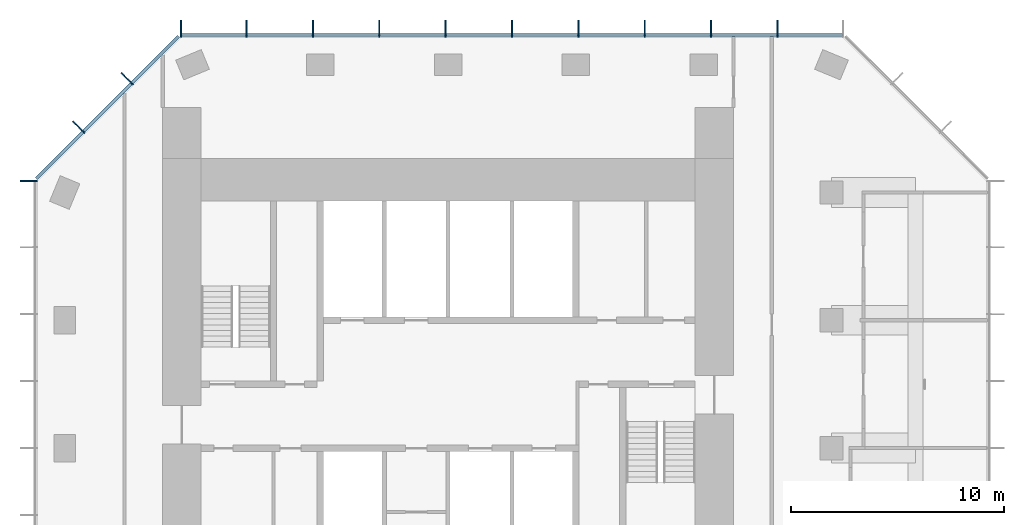
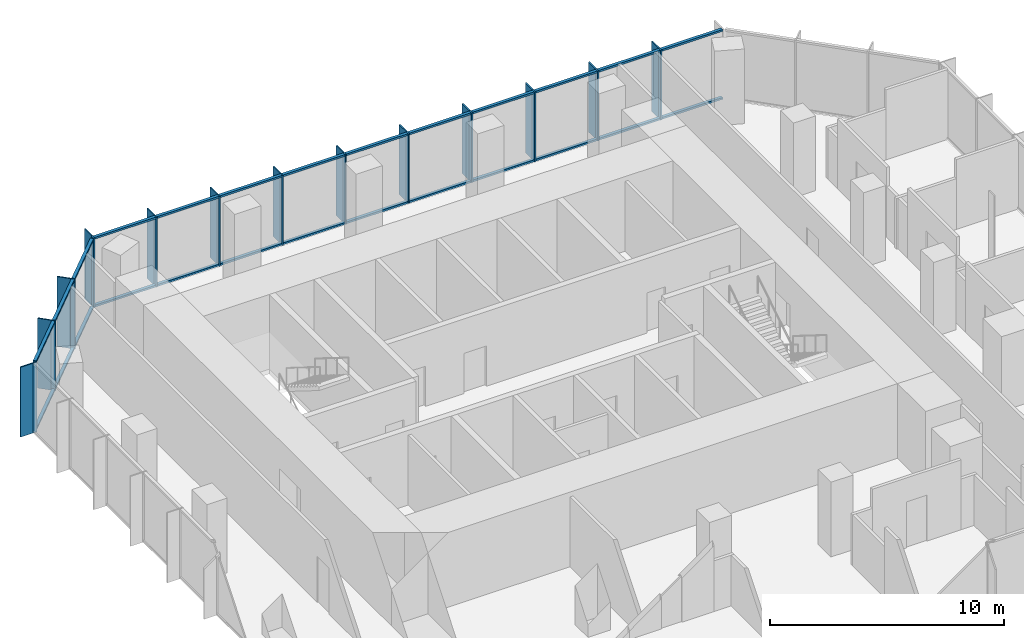
# One storey, part 5 of 11: 52 members, 3 elements without a shape of their own.
"""IFC4 building model written with IfcOpenShell, lengths in metres."""

from ifc_helpers import new_model, si_unit, direction, frame, origin, origin_2d, place, context, subcontext, project, spatial, rectangle, extrude, material, layer, layer_set, material_profile, profile_set, type_object, element, aggregate, save


model = new_model("IFC4")

# Units and contexts
model_context = context("Model", 3, precision=1e-05, world=origin(), true_north=direction((0.0, 1.0)))
body_context = subcontext(model_context, "Body", "Model", "MODEL_VIEW")
ifc_project = project(units=[si_unit("LENGTHUNIT", "METRE"), si_unit("AREAUNIT", "SQUARE_METRE"), si_unit("VOLUMEUNIT", "CUBIC_METRE"), si_unit("PLANEANGLEUNIT", "RADIAN"), si_unit("MASSUNIT", "GRAM", prefix="KILO")], contexts=[model_context])

# Site, building, storey
site_placement = place(None, origin())
site = spatial("IfcSite", under=ifc_project, at=site_placement, CompositionType="ELEMENT")
building_placement = place(site_placement, origin())
building = spatial("IfcBuilding", under=site, at=building_placement, Name="Highveld Stack Headquarters", CompositionType="ELEMENT")
storey_placement = place(building_placement, frame((0.0, 0.0, 291.800048828125)))
storey = spatial("IfcBuildingStorey", under=building, at=storey_placement, Name="L72", CompositionType="ELEMENT", Elevation=291.800048828125)

# Curtain wall, members
ifc_material_1 = material(Name="Aluminium bronze anodised", Category="aluminium")
ifc_layer = layer(ifc_material_1, 0.199951171875)
ifc_layer_set = layer_set([ifc_layer], Name="Aluminium bronze anodised")
curtain_wall_type = type_object("IfcCurtainWallType", Name="CW5 EXECUTIVE UNITISED CURTAIN WALL", PredefinedType="NOTDEFINED", material=ifc_layer_set)
curtain_wall_1_placement = place(storey_placement, origin())
curtain_wall_1 = element("IfcCurtainWall", 1, at=curtain_wall_1_placement, inside=storey, type_object=curtain_wall_type, Name="Curtain wall CW5 L72 N", PredefinedType="NOTDEFINED")
ifc_material_2 = material(Name="Aluminium bronze anodised", Category="aluminium")
ifc_material_profile_1 = material_profile(ifc_material_2, rectangle(XDim=0.60009765625, YDim=0.06005859375, at=origin_2d()), Name="FIN 600x60")
ifc_profile_set_1 = profile_set([ifc_material_profile_1], Name="Aluminium bronze anodised")
member_type_1 = type_object("IfcMemberType", Name="CW5 BRONZE FIN 600x60", PredefinedType="USERDEFINED", material=ifc_profile_set_1)
member_1_placement = place(storey_placement, frame((21.4638671875, 19.800048828125, 0.0), z_axis=(0.0, 0.0, 1.0), x_axis=(0.0, -1.0, 0.0)))
member_1 = element("IfcMember", 2, at=member_1_placement, type_object=member_type_1, Name="CW5 fin L72 2", ObjectType="FIN", PredefinedType="USERDEFINED", context=body_context, shape_type="SweptSolid", body=[
    extrude(rectangle(XDim=0.60009765625, YDim=0.06005859375, at=origin_2d()), origin(), (0.0, 0.0, 1.0), 3.64990234375),
])
member_2_placement = place(storey_placement, frame((18.347900390625, 19.800048828125, 0.0), z_axis=(0.0, 0.0, 1.0), x_axis=(0.0, -1.0, 0.0)))
member_2 = element("IfcMember", 3, at=member_2_placement, type_object=member_type_1, Name="CW5 fin L72 3", ObjectType="FIN", PredefinedType="USERDEFINED", context=body_context, shape_type="SweptSolid", body=[
    extrude(rectangle(XDim=0.60009765625, YDim=0.06005859375, at=origin_2d()), origin(), (0.0, 0.0, 1.0), 3.64990234375),
])
member_3_placement = place(storey_placement, frame((15.23193359375, 19.800048828125, 0.0), z_axis=(0.0, 0.0, 1.0), x_axis=(0.0, -1.0, 0.0)))
member_3 = element("IfcMember", 4, at=member_3_placement, type_object=member_type_1, Name="CW5 fin L72 4", ObjectType="FIN", PredefinedType="USERDEFINED", context=body_context, shape_type="SweptSolid", body=[
    extrude(rectangle(XDim=0.60009765625, YDim=0.06005859375, at=origin_2d()), origin(), (0.0, 0.0, 1.0), 3.64990234375),
])
member_4_placement = place(storey_placement, frame((12.115966796875, 19.800048828125, 0.0), z_axis=(0.0, 0.0, 1.0), x_axis=(0.0, -1.0, 0.0)))
member_4 = element("IfcMember", 5, at=member_4_placement, type_object=member_type_1, Name="CW5 fin L72 5", ObjectType="FIN", PredefinedType="USERDEFINED", context=body_context, shape_type="SweptSolid", body=[
    extrude(rectangle(XDim=0.60009765625, YDim=0.06005859375, at=origin_2d()), origin(), (0.0, 0.0, 1.0), 3.64990234375),
])
member_5_placement = place(storey_placement, frame((9.0, 19.800048828125, 0.0), z_axis=(0.0, 0.0, 1.0), x_axis=(0.0, -1.0, 0.0)))
member_5 = element("IfcMember", 6, at=member_5_placement, type_object=member_type_1, Name="CW5 fin L72 6", ObjectType="FIN", PredefinedType="USERDEFINED", context=body_context, shape_type="SweptSolid", body=[
    extrude(rectangle(XDim=0.60009765625, YDim=0.06005859375, at=origin_2d()), origin(), (0.0, 0.0, 1.0), 3.64990234375),
])
member_6_placement = place(storey_placement, frame((5.884033203125, 19.800048828125, 0.0), z_axis=(0.0, 0.0, 1.0), x_axis=(0.0, -1.0, 0.0)))
member_6 = element("IfcMember", 7, at=member_6_placement, type_object=member_type_1, Name="CW5 fin L72 7", ObjectType="FIN", PredefinedType="USERDEFINED", context=body_context, shape_type="SweptSolid", body=[
    extrude(rectangle(XDim=0.60009765625, YDim=0.06005859375, at=origin_2d()), origin(), (0.0, 0.0, 1.0), 3.64990234375),
])
member_7_placement = place(storey_placement, frame((2.76806640625, 19.800048828125, 0.0), z_axis=(0.0, 0.0, 1.0), x_axis=(0.0, -1.0, 0.0)))
member_7 = element("IfcMember", 8, at=member_7_placement, type_object=member_type_1, Name="CW5 fin L72 8", ObjectType="FIN", PredefinedType="USERDEFINED", context=body_context, shape_type="SweptSolid", body=[
    extrude(rectangle(XDim=0.60009765625, YDim=0.06005859375, at=origin_2d()), origin(), (0.0, 0.0, 1.0), 3.64990234375),
])
member_8_placement = place(storey_placement, frame((-0.347900390625, 19.800048828125, 0.0), z_axis=(0.0, 0.0, 1.0), x_axis=(0.0, -1.0, 0.0)))
member_8 = element("IfcMember", 9, at=member_8_placement, type_object=member_type_1, Name="CW5 fin L72 9", ObjectType="FIN", PredefinedType="USERDEFINED", context=body_context, shape_type="SweptSolid", body=[
    extrude(rectangle(XDim=0.60009765625, YDim=0.06005859375, at=origin_2d()), origin(), (0.0, 0.0, 1.0), 3.64990234375),
])
member_9_placement = place(storey_placement, frame((-3.4638671875, 19.800048828125, 0.0), z_axis=(0.0, 0.0, 1.0), x_axis=(0.0, -1.0, 0.0)))
member_9 = element("IfcMember", 10, at=member_9_placement, type_object=member_type_1, Name="CW5 fin L72 10", ObjectType="FIN", PredefinedType="USERDEFINED", context=body_context, shape_type="SweptSolid", body=[
    extrude(rectangle(XDim=0.60009765625, YDim=0.06005859375, at=origin_2d()), origin(), (0.0, 0.0, 1.0), 3.64990234375),
])
member_10_placement = place(storey_placement, frame((-6.54736328125, 19.800048828125, 0.0), z_axis=(0.0, 0.0, 1.0), x_axis=(0.0, -1.0, 0.0)))
member_10 = element("IfcMember", 11, at=member_10_placement, type_object=member_type_1, Name="CW5 fin L72 11", ObjectType="FIN", PredefinedType="USERDEFINED", context=body_context, shape_type="SweptSolid", body=[
    extrude(rectangle(XDim=0.60009765625, YDim=0.06005859375, at=origin_2d()), origin(), (0.0, 0.0, 1.0), 3.64990234375),
])

curtain_wall_2_placement = place(storey_placement, origin())
curtain_wall_2 = element("IfcCurtainWall", 12, at=curtain_wall_2_placement, inside=storey, type_object=curtain_wall_type, Name="Curtain wall CW5 L72 NW", PredefinedType="NOTDEFINED")
member_11_placement = place(storey_placement, frame((-9.135986328125, 17.409423828125, 0.0), z_axis=(0.0, 0.0, 1.0), x_axis=(0.707106781187, -0.707106781187, 0.0)))
member_11 = element("IfcMember", 13, at=member_11_placement, type_object=member_type_1, Name="CW5 fin L72 1", ObjectType="FIN", PredefinedType="USERDEFINED", context=body_context, shape_type="SweptSolid", body=[
    extrude(rectangle(XDim=0.60009765625, YDim=0.06005859375, at=origin_2d()), origin(), (0.0, 0.0, 1.0), 3.64990234375),
])
member_12_placement = place(storey_placement, frame((-11.409423828125, 15.135986328125, 0.0), z_axis=(0.0, 0.0, 1.0), x_axis=(0.707106781187, -0.707106781187, 0.0)))
member_12 = element("IfcMember", 14, at=member_12_placement, type_object=member_type_1, Name="CW5 fin L72 2", ObjectType="FIN", PredefinedType="USERDEFINED", context=body_context, shape_type="SweptSolid", body=[
    extrude(rectangle(XDim=0.60009765625, YDim=0.06005859375, at=origin_2d()), origin(), (0.0, 0.0, 1.0), 3.64990234375),
])

# Curtain wall, member
curtain_wall_3_placement = place(storey_placement, origin())
curtain_wall_3 = element("IfcCurtainWall", 15, at=curtain_wall_3_placement, inside=storey, type_object=curtain_wall_type, Name="Curtain wall CW5 L72 W", PredefinedType="NOTDEFINED")
member_13_placement = place(storey_placement, frame((-13.800048828125, 12.54736328125, 0.0), z_axis=(0.0, 0.0, 1.0), x_axis=(1.0, 0.0, 0.0)))
member_13 = element("IfcMember", 16, at=member_13_placement, type_object=member_type_1, Name="CW5 fin L72 1", ObjectType="FIN", PredefinedType="USERDEFINED", context=body_context, shape_type="SweptSolid", body=[
    extrude(rectangle(XDim=0.60009765625, YDim=0.06005859375, at=origin_2d()), origin(), (0.0, 0.0, 1.0), 3.64990234375),
])

# Member
ifc_material_3 = material(Name="Aluminium bronze anodised", Category="aluminium")
ifc_material_profile_2 = material_profile(ifc_material_3, rectangle(XDim=0.199951171875, YDim=0.06494140625, at=origin_2d()), Name="CW5 MULLION 65x200")
ifc_profile_set_2 = profile_set([ifc_material_profile_2], Name="Aluminium bronze anodised")
member_type_2 = type_object("IfcMemberType", Name="CW5 MULLION 65x200", PredefinedType="MULLION", material=ifc_profile_set_2)
member_14_placement = place(storey_placement, frame((21.4638671875, 19.39990234375, 0.0), z_axis=(0.0, 0.0, 1.0), x_axis=(0.0, -1.0, 0.0)))
member_14 = element("IfcMember", 17, at=member_14_placement, type_object=member_type_2, Name="CW5 mullion L72 2", PredefinedType="MULLION", context=body_context, shape_type="SweptSolid", body=[
    extrude(rectangle(XDim=0.199951171875, YDim=0.06494140625, at=origin_2d()), origin(), (0.0, 0.0, 1.0), 3.64990234375),
])

member_15_placement = place(storey_placement, frame((18.347900390625, 19.39990234375, 0.0), z_axis=(0.0, 0.0, 1.0), x_axis=(0.0, -1.0, 0.0)))
member_15 = element("IfcMember", 18, at=member_15_placement, type_object=member_type_2, Name="CW5 mullion L72 3", PredefinedType="MULLION", context=body_context, shape_type="SweptSolid", body=[
    extrude(rectangle(XDim=0.199951171875, YDim=0.06494140625, at=origin_2d()), origin(), (0.0, 0.0, 1.0), 3.64990234375),
])

member_16_placement = place(storey_placement, frame((15.23193359375, 19.39990234375, 0.0), z_axis=(0.0, 0.0, 1.0), x_axis=(0.0, -1.0, 0.0)))
member_16 = element("IfcMember", 19, at=member_16_placement, type_object=member_type_2, Name="CW5 mullion L72 4", PredefinedType="MULLION", context=body_context, shape_type="SweptSolid", body=[
    extrude(rectangle(XDim=0.199951171875, YDim=0.06494140625, at=origin_2d()), origin(), (0.0, 0.0, 1.0), 3.64990234375),
])

member_17_placement = place(storey_placement, frame((12.115966796875, 19.39990234375, 0.0), z_axis=(0.0, 0.0, 1.0), x_axis=(0.0, -1.0, 0.0)))
member_17 = element("IfcMember", 20, at=member_17_placement, type_object=member_type_2, Name="CW5 mullion L72 5", PredefinedType="MULLION", context=body_context, shape_type="SweptSolid", body=[
    extrude(rectangle(XDim=0.199951171875, YDim=0.06494140625, at=origin_2d()), origin(), (0.0, 0.0, 1.0), 3.64990234375),
])

member_18_placement = place(storey_placement, frame((9.0, 19.39990234375, 0.0), z_axis=(0.0, 0.0, 1.0), x_axis=(0.0, -1.0, 0.0)))
member_18 = element("IfcMember", 21, at=member_18_placement, type_object=member_type_2, Name="CW5 mullion L72 6", PredefinedType="MULLION", context=body_context, shape_type="SweptSolid", body=[
    extrude(rectangle(XDim=0.199951171875, YDim=0.06494140625, at=origin_2d()), origin(), (0.0, 0.0, 1.0), 3.64990234375),
])

member_19_placement = place(storey_placement, frame((5.884033203125, 19.39990234375, 0.0), z_axis=(0.0, 0.0, 1.0), x_axis=(0.0, -1.0, 0.0)))
member_19 = element("IfcMember", 22, at=member_19_placement, type_object=member_type_2, Name="CW5 mullion L72 7", PredefinedType="MULLION", context=body_context, shape_type="SweptSolid", body=[
    extrude(rectangle(XDim=0.199951171875, YDim=0.06494140625, at=origin_2d()), origin(), (0.0, 0.0, 1.0), 3.64990234375),
])

member_20_placement = place(storey_placement, frame((2.76806640625, 19.39990234375, 0.0), z_axis=(0.0, 0.0, 1.0), x_axis=(0.0, -1.0, 0.0)))
member_20 = element("IfcMember", 23, at=member_20_placement, type_object=member_type_2, Name="CW5 mullion L72 8", PredefinedType="MULLION", context=body_context, shape_type="SweptSolid", body=[
    extrude(rectangle(XDim=0.199951171875, YDim=0.06494140625, at=origin_2d()), origin(), (0.0, 0.0, 1.0), 3.64990234375),
])

member_21_placement = place(storey_placement, frame((-0.347900390625, 19.39990234375, 0.0), z_axis=(0.0, 0.0, 1.0), x_axis=(0.0, -1.0, 0.0)))
member_21 = element("IfcMember", 24, at=member_21_placement, type_object=member_type_2, Name="CW5 mullion L72 9", PredefinedType="MULLION", context=body_context, shape_type="SweptSolid", body=[
    extrude(rectangle(XDim=0.199951171875, YDim=0.06494140625, at=origin_2d()), origin(), (0.0, 0.0, 1.0), 3.64990234375),
])

member_22_placement = place(storey_placement, frame((-3.4638671875, 19.39990234375, 0.0), z_axis=(0.0, 0.0, 1.0), x_axis=(0.0, -1.0, 0.0)))
member_22 = element("IfcMember", 25, at=member_22_placement, type_object=member_type_2, Name="CW5 mullion L72 10", PredefinedType="MULLION", context=body_context, shape_type="SweptSolid", body=[
    extrude(rectangle(XDim=0.199951171875, YDim=0.06494140625, at=origin_2d()), origin(), (0.0, 0.0, 1.0), 3.64990234375),
])

member_23_placement = place(storey_placement, frame((-6.54736328125, 19.39990234375, 0.0), z_axis=(0.0, 0.0, 1.0), x_axis=(0.0, -1.0, 0.0)))
member_23 = element("IfcMember", 26, at=member_23_placement, type_object=member_type_2, Name="CW5 mullion L72 11", PredefinedType="MULLION", context=body_context, shape_type="SweptSolid", body=[
    extrude(rectangle(XDim=0.199951171875, YDim=0.06494140625, at=origin_2d()), origin(), (0.0, 0.0, 1.0), 3.64990234375),
])

member_24_placement = place(storey_placement, frame((-8.853271484375, 17.126708984375, 0.0), z_axis=(0.0, 0.0, 1.0), x_axis=(0.707106781187, -0.707106781187, 0.0)))
member_24 = element("IfcMember", 27, at=member_24_placement, type_object=member_type_2, Name="CW5 mullion L72 1", PredefinedType="MULLION", context=body_context, shape_type="SweptSolid", body=[
    extrude(rectangle(XDim=0.199951171875, YDim=0.06494140625, at=origin_2d()), origin(), (0.0, 0.0, 1.0), 3.64990234375),
])

member_25_placement = place(storey_placement, frame((-11.126708984375, 14.853271484375, 0.0), z_axis=(0.0, 0.0, 1.0), x_axis=(0.707106781187, -0.707106781187, 0.0)))
member_25 = element("IfcMember", 28, at=member_25_placement, type_object=member_type_2, Name="CW5 mullion L72 2", PredefinedType="MULLION", context=body_context, shape_type="SweptSolid", body=[
    extrude(rectangle(XDim=0.199951171875, YDim=0.06494140625, at=origin_2d()), origin(), (0.0, 0.0, 1.0), 3.64990234375),
])

member_26_placement = place(storey_placement, frame((-13.39990234375, 12.54736328125, 0.0), z_axis=(0.0, 0.0, 1.0), x_axis=(1.0, 0.0, 0.0)))
member_26 = element("IfcMember", 29, at=member_26_placement, type_object=member_type_2, Name="CW5 mullion L72 1", PredefinedType="MULLION", context=body_context, shape_type="SweptSolid", body=[
    extrude(rectangle(XDim=0.199951171875, YDim=0.06494140625, at=origin_2d()), origin(), (0.0, 0.0, 1.0), 3.64990234375),
])

aggregate(curtain_wall_3, [member_26, member_13])

ifc_material_4 = material(Name="Aluminium bronze anodised", Category="aluminium")
ifc_material_profile_3 = material_profile(ifc_material_4, rectangle(XDim=0.14990234375, YDim=0.10009765625, at=origin_2d()), Name="CW5 TRANSOM 150x100")
ifc_profile_set_3 = profile_set([ifc_material_profile_3], Name="Aluminium bronze anodised")
member_type_3 = type_object("IfcMemberType", Name="CW5 STACK TRANSOM 150x100", PredefinedType="USERDEFINED", material=ifc_profile_set_3)
member_27_placement = place(storey_placement, frame((24.514892578125, 19.39990234375, 0.050048828125), z_axis=(-1.0, 0.0, 0.0), x_axis=(0.0, -1.0, 0.0)))
member_27 = element("IfcMember", 30, at=member_27_placement, type_object=member_type_3, Name="CW5 transom L72 1.1", ObjectType="TRANSOM", PredefinedType="USERDEFINED", context=body_context, shape_type="SweptSolid", body=[
    extrude(rectangle(XDim=0.14990234375, YDim=0.10009765625, at=origin_2d()), origin(), (0.0, 0.0, 1.0), 3.0185546875),
])

member_28_placement = place(storey_placement, frame((24.514892578125, 19.39990234375, 3.599853515625), z_axis=(-1.0, 0.0, 0.0), x_axis=(0.0, -1.0, 0.0)))
member_28 = element("IfcMember", 31, at=member_28_placement, type_object=member_type_3, Name="CW5 transom L72 1.2", ObjectType="TRANSOM", PredefinedType="USERDEFINED", context=body_context, shape_type="SweptSolid", body=[
    extrude(rectangle(XDim=0.14990234375, YDim=0.10009765625, at=origin_2d()), origin(), (0.0, 0.0, 1.0), 3.0185546875),
])

member_29_placement = place(storey_placement, frame((21.431396484375, 19.39990234375, 0.050048828125), z_axis=(-1.0, 0.0, 0.0), x_axis=(0.0, -1.0, 0.0)))
member_29 = element("IfcMember", 32, at=member_29_placement, type_object=member_type_3, Name="CW5 transom L72 2.1", ObjectType="TRANSOM", PredefinedType="USERDEFINED", context=body_context, shape_type="SweptSolid", body=[
    extrude(rectangle(XDim=0.14990234375, YDim=0.10009765625, at=origin_2d()), origin(), (0.0, 0.0, 1.0), 3.051025390625),
])

member_30_placement = place(storey_placement, frame((21.431396484375, 19.39990234375, 3.599853515625), z_axis=(-1.0, 0.0, 0.0), x_axis=(0.0, -1.0, 0.0)))
member_30 = element("IfcMember", 33, at=member_30_placement, type_object=member_type_3, Name="CW5 transom L72 2.2", ObjectType="TRANSOM", PredefinedType="USERDEFINED", context=body_context, shape_type="SweptSolid", body=[
    extrude(rectangle(XDim=0.14990234375, YDim=0.10009765625, at=origin_2d()), origin(), (0.0, 0.0, 1.0), 3.051025390625),
])

member_31_placement = place(storey_placement, frame((18.3154296875, 19.39990234375, 0.050048828125), z_axis=(-1.0, 0.0, 0.0), x_axis=(0.0, -1.0, 0.0)))
member_31 = element("IfcMember", 34, at=member_31_placement, type_object=member_type_3, Name="CW5 transom L72 3.1", ObjectType="TRANSOM", PredefinedType="USERDEFINED", context=body_context, shape_type="SweptSolid", body=[
    extrude(rectangle(XDim=0.14990234375, YDim=0.10009765625, at=origin_2d()), origin(), (0.0, 0.0, 1.0), 3.051025390625),
])

member_32_placement = place(storey_placement, frame((18.3154296875, 19.39990234375, 3.599853515625), z_axis=(-1.0, 0.0, 0.0), x_axis=(0.0, -1.0, 0.0)))
member_32 = element("IfcMember", 35, at=member_32_placement, type_object=member_type_3, Name="CW5 transom L72 3.2", ObjectType="TRANSOM", PredefinedType="USERDEFINED", context=body_context, shape_type="SweptSolid", body=[
    extrude(rectangle(XDim=0.14990234375, YDim=0.10009765625, at=origin_2d()), origin(), (0.0, 0.0, 1.0), 3.051025390625),
])

member_33_placement = place(storey_placement, frame((15.199462890625, 19.39990234375, 0.050048828125), z_axis=(-1.0, 0.0, 0.0), x_axis=(0.0, -1.0, 0.0)))
member_33 = element("IfcMember", 36, at=member_33_placement, type_object=member_type_3, Name="CW5 transom L72 4.1", ObjectType="TRANSOM", PredefinedType="USERDEFINED", context=body_context, shape_type="SweptSolid", body=[
    extrude(rectangle(XDim=0.14990234375, YDim=0.10009765625, at=origin_2d()), origin(), (0.0, 0.0, 1.0), 3.051025390625),
])

member_34_placement = place(storey_placement, frame((15.199462890625, 19.39990234375, 3.599853515625), z_axis=(-1.0, 0.0, 0.0), x_axis=(0.0, -1.0, 0.0)))
member_34 = element("IfcMember", 37, at=member_34_placement, type_object=member_type_3, Name="CW5 transom L72 4.2", ObjectType="TRANSOM", PredefinedType="USERDEFINED", context=body_context, shape_type="SweptSolid", body=[
    extrude(rectangle(XDim=0.14990234375, YDim=0.10009765625, at=origin_2d()), origin(), (0.0, 0.0, 1.0), 3.051025390625),
])

member_35_placement = place(storey_placement, frame((12.08349609375, 19.39990234375, 0.050048828125), z_axis=(-1.0, 0.0, 0.0), x_axis=(0.0, -1.0, 0.0)))
member_35 = element("IfcMember", 38, at=member_35_placement, type_object=member_type_3, Name="CW5 transom L72 5.1", ObjectType="TRANSOM", PredefinedType="USERDEFINED", context=body_context, shape_type="SweptSolid", body=[
    extrude(rectangle(XDim=0.14990234375, YDim=0.10009765625, at=origin_2d()), origin(), (0.0, 0.0, 1.0), 3.051025390625),
])

member_36_placement = place(storey_placement, frame((12.08349609375, 19.39990234375, 3.599853515625), z_axis=(-1.0, 0.0, 0.0), x_axis=(0.0, -1.0, 0.0)))
member_36 = element("IfcMember", 39, at=member_36_placement, type_object=member_type_3, Name="CW5 transom L72 5.2", ObjectType="TRANSOM", PredefinedType="USERDEFINED", context=body_context, shape_type="SweptSolid", body=[
    extrude(rectangle(XDim=0.14990234375, YDim=0.10009765625, at=origin_2d()), origin(), (0.0, 0.0, 1.0), 3.051025390625),
])

member_37_placement = place(storey_placement, frame((8.967529296875, 19.39990234375, 0.050048828125), z_axis=(-1.0, 0.0, 0.0), x_axis=(0.0, -1.0, 0.0)))
member_37 = element("IfcMember", 40, at=member_37_placement, type_object=member_type_3, Name="CW5 transom L72 6.1", ObjectType="TRANSOM", PredefinedType="USERDEFINED", context=body_context, shape_type="SweptSolid", body=[
    extrude(rectangle(XDim=0.14990234375, YDim=0.10009765625, at=origin_2d()), origin(), (0.0, 0.0, 1.0), 3.051025390625),
])

member_38_placement = place(storey_placement, frame((8.967529296875, 19.39990234375, 3.599853515625), z_axis=(-1.0, 0.0, 0.0), x_axis=(0.0, -1.0, 0.0)))
member_38 = element("IfcMember", 41, at=member_38_placement, type_object=member_type_3, Name="CW5 transom L72 6.2", ObjectType="TRANSOM", PredefinedType="USERDEFINED", context=body_context, shape_type="SweptSolid", body=[
    extrude(rectangle(XDim=0.14990234375, YDim=0.10009765625, at=origin_2d()), origin(), (0.0, 0.0, 1.0), 3.051025390625),
])

member_39_placement = place(storey_placement, frame((5.8515625, 19.39990234375, 0.050048828125), z_axis=(-1.0, 0.0, 0.0), x_axis=(0.0, -1.0, 0.0)))
member_39 = element("IfcMember", 42, at=member_39_placement, type_object=member_type_3, Name="CW5 transom L72 7.1", ObjectType="TRANSOM", PredefinedType="USERDEFINED", context=body_context, shape_type="SweptSolid", body=[
    extrude(rectangle(XDim=0.14990234375, YDim=0.10009765625, at=origin_2d()), origin(), (0.0, 0.0, 1.0), 3.051025390625),
])

member_40_placement = place(storey_placement, frame((5.8515625, 19.39990234375, 3.599853515625), z_axis=(-1.0, 0.0, 0.0), x_axis=(0.0, -1.0, 0.0)))
member_40 = element("IfcMember", 43, at=member_40_placement, type_object=member_type_3, Name="CW5 transom L72 7.2", ObjectType="TRANSOM", PredefinedType="USERDEFINED", context=body_context, shape_type="SweptSolid", body=[
    extrude(rectangle(XDim=0.14990234375, YDim=0.10009765625, at=origin_2d()), origin(), (0.0, 0.0, 1.0), 3.051025390625),
])

member_41_placement = place(storey_placement, frame((2.735595703125, 19.39990234375, 0.050048828125), z_axis=(-1.0, 0.0, 0.0), x_axis=(0.0, -1.0, 0.0)))
member_41 = element("IfcMember", 44, at=member_41_placement, type_object=member_type_3, Name="CW5 transom L72 8.1", ObjectType="TRANSOM", PredefinedType="USERDEFINED", context=body_context, shape_type="SweptSolid", body=[
    extrude(rectangle(XDim=0.14990234375, YDim=0.10009765625, at=origin_2d()), origin(), (0.0, 0.0, 1.0), 3.051025390625),
])

member_42_placement = place(storey_placement, frame((2.735595703125, 19.39990234375, 3.599853515625), z_axis=(-1.0, 0.0, 0.0), x_axis=(0.0, -1.0, 0.0)))
member_42 = element("IfcMember", 45, at=member_42_placement, type_object=member_type_3, Name="CW5 transom L72 8.2", ObjectType="TRANSOM", PredefinedType="USERDEFINED", context=body_context, shape_type="SweptSolid", body=[
    extrude(rectangle(XDim=0.14990234375, YDim=0.10009765625, at=origin_2d()), origin(), (0.0, 0.0, 1.0), 3.051025390625),
])

member_43_placement = place(storey_placement, frame((-0.38037109375, 19.39990234375, 0.050048828125), z_axis=(-1.0, 0.0, 0.0), x_axis=(0.0, -1.0, 0.0)))
member_43 = element("IfcMember", 46, at=member_43_placement, type_object=member_type_3, Name="CW5 transom L72 9.1", ObjectType="TRANSOM", PredefinedType="USERDEFINED", context=body_context, shape_type="SweptSolid", body=[
    extrude(rectangle(XDim=0.14990234375, YDim=0.10009765625, at=origin_2d()), origin(), (0.0, 0.0, 1.0), 3.051025390625),
])

member_44_placement = place(storey_placement, frame((-0.38037109375, 19.39990234375, 3.599853515625), z_axis=(-1.0, 0.0, 0.0), x_axis=(0.0, -1.0, 0.0)))
member_44 = element("IfcMember", 47, at=member_44_placement, type_object=member_type_3, Name="CW5 transom L72 9.2", ObjectType="TRANSOM", PredefinedType="USERDEFINED", context=body_context, shape_type="SweptSolid", body=[
    extrude(rectangle(XDim=0.14990234375, YDim=0.10009765625, at=origin_2d()), origin(), (0.0, 0.0, 1.0), 3.051025390625),
])

member_45_placement = place(storey_placement, frame((-3.496337890625, 19.39990234375, 0.050048828125), z_axis=(-1.0, 0.0, 0.0), x_axis=(0.0, -1.0, 0.0)))
member_45 = element("IfcMember", 48, at=member_45_placement, type_object=member_type_3, Name="CW5 transom L72 10.1", ObjectType="TRANSOM", PredefinedType="USERDEFINED", context=body_context, shape_type="SweptSolid", body=[
    extrude(rectangle(XDim=0.14990234375, YDim=0.10009765625, at=origin_2d()), origin(), (0.0, 0.0, 1.0), 3.0185546875),
])

member_46_placement = place(storey_placement, frame((-3.496337890625, 19.39990234375, 3.599853515625), z_axis=(-1.0, 0.0, 0.0), x_axis=(0.0, -1.0, 0.0)))
member_46 = element("IfcMember", 49, at=member_46_placement, type_object=member_type_3, Name="CW5 transom L72 10.2", ObjectType="TRANSOM", PredefinedType="USERDEFINED", context=body_context, shape_type="SweptSolid", body=[
    extrude(rectangle(XDim=0.14990234375, YDim=0.10009765625, at=origin_2d()), origin(), (0.0, 0.0, 1.0), 3.0185546875),
])

aggregate(curtain_wall_1, [member_14, member_1, member_15, member_2, member_16, member_3, member_17, member_4, member_18, member_5, member_19, member_6, member_20, member_7, member_21, member_8, member_22, member_9, member_23, member_10, member_27, member_28, member_29, member_30, member_31, member_32, member_33, member_34, member_35, member_36, member_37, member_38, member_39, member_40, member_41, member_42, member_43, member_44, member_45, member_46])

member_47_placement = place(storey_placement, frame((-6.650634765625, 19.329345703125, 0.050048828125), z_axis=(-0.707106781187, -0.707106781187, 0.0), x_axis=(0.707106781187, -0.707106781187, 0.0)))
member_47 = element("IfcMember", 50, at=member_47_placement, type_object=member_type_3, Name="CW5 transom L72 1.1", ObjectType="TRANSOM", PredefinedType="USERDEFINED", context=body_context, shape_type="SweptSolid", body=[
    extrude(rectangle(XDim=0.14990234375, YDim=0.10009765625, at=origin_2d()), origin(), (0.0, 0.0, 1.0), 3.08251953125),
])

member_48_placement = place(storey_placement, frame((-6.650634765625, 19.329345703125, 3.599853515625), z_axis=(-0.707106781187, -0.707106781187, 0.0), x_axis=(0.707106781187, -0.707106781187, 0.0)))
member_48 = element("IfcMember", 51, at=member_48_placement, type_object=member_type_3, Name="CW5 transom L72 1.2", ObjectType="TRANSOM", PredefinedType="USERDEFINED", context=body_context, shape_type="SweptSolid", body=[
    extrude(rectangle(XDim=0.14990234375, YDim=0.10009765625, at=origin_2d()), origin(), (0.0, 0.0, 1.0), 3.08251953125),
])

member_49_placement = place(storey_placement, frame((-8.876220703125, 17.103759765625, 0.050048828125), z_axis=(-0.707106781187, -0.707106781187, 0.0), x_axis=(0.707106781187, -0.707106781187, 0.0)))
member_49 = element("IfcMember", 52, at=member_49_placement, type_object=member_type_3, Name="CW5 transom L72 2.1", ObjectType="TRANSOM", PredefinedType="USERDEFINED", context=body_context, shape_type="SweptSolid", body=[
    extrude(rectangle(XDim=0.14990234375, YDim=0.10009765625, at=origin_2d()), origin(), (0.0, 0.0, 1.0), 3.150146484375),
])

member_50_placement = place(storey_placement, frame((-8.876220703125, 17.103759765625, 3.599853515625), z_axis=(-0.707106781187, -0.707106781187, 0.0), x_axis=(0.707106781187, -0.707106781187, 0.0)))
member_50 = element("IfcMember", 53, at=member_50_placement, type_object=member_type_3, Name="CW5 transom L72 2.2", ObjectType="TRANSOM", PredefinedType="USERDEFINED", context=body_context, shape_type="SweptSolid", body=[
    extrude(rectangle(XDim=0.14990234375, YDim=0.10009765625, at=origin_2d()), origin(), (0.0, 0.0, 1.0), 3.150146484375),
])

member_51_placement = place(storey_placement, frame((-11.149658203125, 14.830322265625, 0.050048828125), z_axis=(-0.707106781187, -0.707106781187, 0.0), x_axis=(0.707106781187, -0.707106781187, 0.0)))
member_51 = element("IfcMember", 54, at=member_51_placement, type_object=member_type_3, Name="CW5 transom L72 3.1", ObjectType="TRANSOM", PredefinedType="USERDEFINED", context=body_context, shape_type="SweptSolid", body=[
    extrude(rectangle(XDim=0.14990234375, YDim=0.10009765625, at=origin_2d()), origin(), (0.0, 0.0, 1.0), 3.08251953125),
])

member_52_placement = place(storey_placement, frame((-11.149658203125, 14.830322265625, 3.599853515625), z_axis=(-0.707106781187, -0.707106781187, 0.0), x_axis=(0.707106781187, -0.707106781187, 0.0)))
member_52 = element("IfcMember", 55, at=member_52_placement, type_object=member_type_3, Name="CW5 transom L72 3.2", ObjectType="TRANSOM", PredefinedType="USERDEFINED", context=body_context, shape_type="SweptSolid", body=[
    extrude(rectangle(XDim=0.14990234375, YDim=0.10009765625, at=origin_2d()), origin(), (0.0, 0.0, 1.0), 3.08251953125),
])

aggregate(curtain_wall_2, [member_24, member_11, member_25, member_12, member_47, member_48, member_49, member_50, member_51, member_52])

save(model, "model.ifc")
